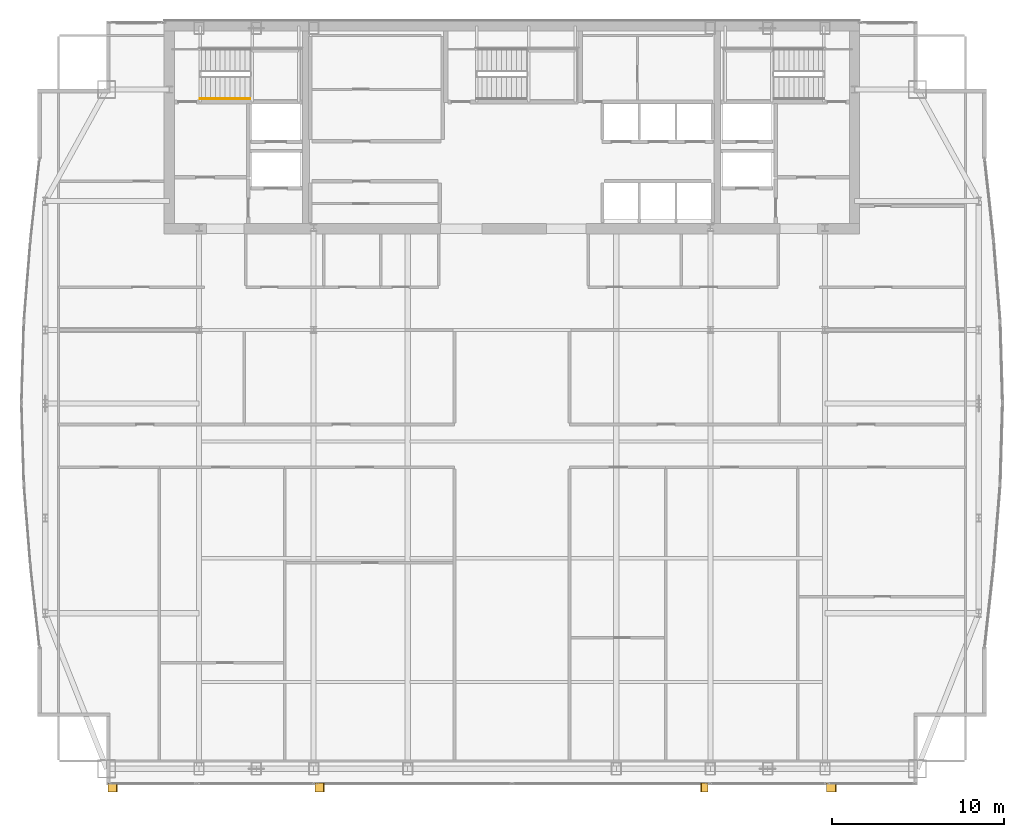
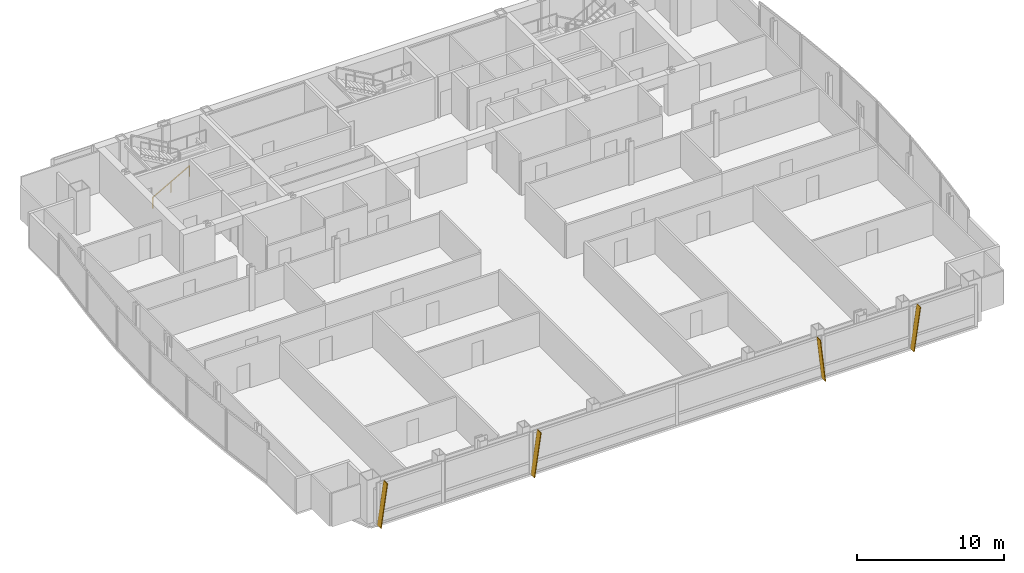
# One storey, part 28 of 29: 4 shading devices, 1 railing.
"""IFC4 building model written with IfcOpenShell, lengths in metres."""

from ifc_helpers import new_model, si_unit, direction, frame, origin, origin_2d, place, context, subcontext, project, spatial, polyline, rectangle, outline, extrude, material, layer, layer_set, type_object, element, save


model = new_model("IFC4")

# Units and contexts
model_context = context("Model", 3, precision=1e-05, world=origin(), true_north=direction((0.0, 1.0)))
body_context = subcontext(model_context, "Body", "Model", "MODEL_VIEW")
ifc_project = project(units=[si_unit("LENGTHUNIT", "METRE"), si_unit("AREAUNIT", "SQUARE_METRE"), si_unit("VOLUMEUNIT", "CUBIC_METRE"), si_unit("PLANEANGLEUNIT", "RADIAN"), si_unit("MASSUNIT", "GRAM", prefix="KILO")], contexts=[model_context])

# Site, building, storey
site_placement = place(None, origin())
site = spatial("IfcSite", under=ifc_project, at=site_placement, CompositionType="ELEMENT")
building_placement = place(site_placement, origin())
building = spatial("IfcBuilding", under=site, at=building_placement, Name="Khoronbel Lancet Exchange", CompositionType="ELEMENT")
storey_placement = place(building_placement, frame((0.0, 0.0, 246.199951171875)))
storey = spatial("IfcBuildingStorey", under=building, at=storey_placement, Name="L63", CompositionType="ELEMENT", Elevation=246.199951171875)

# Railing
ifc_material_1 = material(Name="Brushed Stainless Steel 316", Category="steel")
railing_type = type_object("IfcRailingType", Name="RL-STH92", PredefinedType="HANDRAIL", material=ifc_material_1)
railing_placement = place(storey_placement, frame((18.300048828125, 49.169921875, 0.16357421875)))
element("IfcRailing", 1, at=railing_placement, inside=storey, type_object=railing_type, Name="L63 ST1 stair handrail 1", PredefinedType="HANDRAIL", context=body_context, shape_type="SweptSolid", body=[
    extrude(rectangle(XDim=0.048095703125, YDim=0.048095703125, at=origin_2d()), frame((0.0, 0.0, 0.8759765625), z_axis=(0.870897200241, 0.0, 0.491465224214), x_axis=(0.0, 1.0, 0.0)), (0.0, 0.0, 1.0), 3.329833984375),
    extrude(rectangle(XDim=0.0419921875, YDim=0.0419921875, at=origin_2d()), origin(), (0.0, 0.0, 1.0), 0.851806640625),
    extrude(rectangle(XDim=0.0419921875, YDim=0.0419921875, at=origin_2d()), frame((1.449951171875, 0.0, 0.818359375)), (0.0, 0.0, 1.0), 0.851806640625),
    extrude(rectangle(XDim=0.0419921875, YDim=0.0419921875, at=origin_2d()), frame((2.89990234375, 0.0, 1.636474609375)), (0.0, 0.0, 1.0), 0.851806640625),
])

# Shading devices
ifc_material_2 = material(Name="Bronze-Anodised Aluminium 6063-T6", Category="aluminium")
ifc_layer = layer(ifc_material_2, 0.054931640625, Name="Bronze-Anodised Aluminium 6063-T6")
ifc_layer_set = layer_set([ifc_layer], Name="Bronze-Anodised Aluminium 6063-T6")
shading_device_type = type_object("IfcShadingDeviceType", Name="SHD-FIN1", PredefinedType="USERDEFINED", material=ifc_layer_set)
for number, where, z_axis, x_axis, name in (
    (2, (12.91259765625, 9.31005859375, -0.079833984375), (-0.990091586433, 0.0, 0.14042311232), (0.0, -1.0, 0.0), "Slanted bronze solar fin CW-L63-SWV-0"),
    (3, (24.972412109375, 9.31005859375, -0.079833984375), (-0.990082143633, 0.0, 0.140489675274), (0.0, -1.0, 0.0), "Slanted bronze solar fin CW-L63-SCV-0"),
):
    element("IfcShadingDevice", number, at=place(storey_placement, frame(where, z_axis=z_axis, x_axis=x_axis)), inside=storey, type_object=shading_device_type, Name=name, ObjectType="FIN", PredefinedType="USERDEFINED", context=body_context, shape_type="SweptSolid", body=[
        extrude(outline(polyline([(0.0, 0.0), (0.52001953125, 0.0), (0.52001953125, 3.595458984375), (0.0, 3.595458984375), (0.0, 0.0)])), origin(), (0.0, 0.0, -1.0), 0.054931640625),
    ])
shading_device_1_placement = place(storey_placement, frame((47.87255859375, 9.31005859375, -0.079833984375), z_axis=(0.99389951861, 0.0, 0.110289378034), x_axis=(0.0, -1.0, 0.0)))
element("IfcShadingDevice", 4, at=shading_device_1_placement, inside=storey, type_object=shading_device_type, Name="Slanted bronze solar fin CW-L63-SCV-2", ObjectType="FIN", PredefinedType="USERDEFINED", context=body_context, shape_type="SweptSolid", body=[
    extrude(outline(polyline([(0.0, 0.0), (0.52001953125, 0.0), (0.52001953125, -3.58154296875), (0.0, -3.58154296875), (0.0, 0.0)])), origin(), (0.0, 0.0, -1.0), 0.054931640625),
])
shading_device_2_placement = place(storey_placement, frame((54.7724609375, 9.31005859375, -0.079833984375), z_axis=(-0.990082143633, 0.0, 0.140489675274), x_axis=(0.0, -1.0, 0.0)))
element("IfcShadingDevice", 5, at=shading_device_2_placement, inside=storey, type_object=shading_device_type, Name="Slanted bronze solar fin CW-L63-SEV-0", ObjectType="FIN", PredefinedType="USERDEFINED", context=body_context, shape_type="SweptSolid", body=[
    extrude(outline(polyline([(0.0, 0.0), (0.52001953125, 0.0), (0.52001953125, 3.595458984375), (0.0, 3.595458984375), (0.0, 0.0)])), origin(), (0.0, 0.0, -1.0), 0.054931640625),
])

save(model, "model.ifc")
